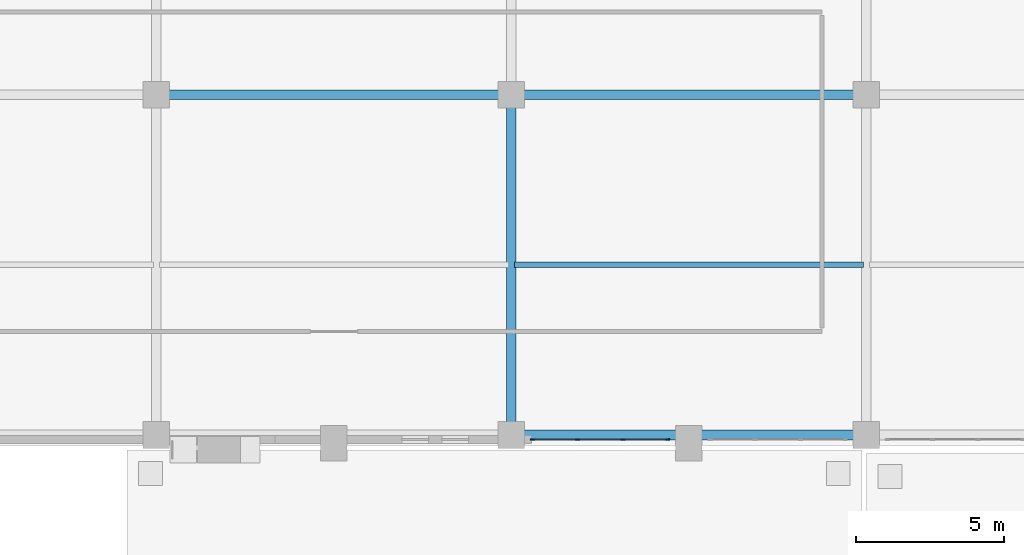
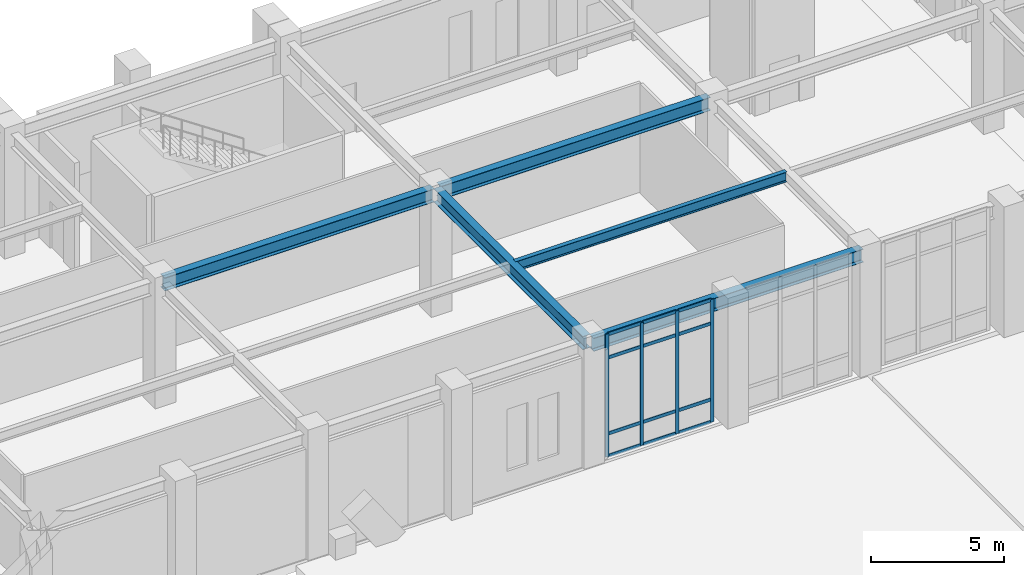
# One storey, part 54 of 143: 16 members, 5 beams, 1 element without a shape of its own.
"""IFC4 building model written with IfcOpenShell, lengths in metres."""

from ifc_helpers import new_model, si_unit, derived_unit, direction, frame, origin, origin_2d, place, context, subcontext, project, spatial, rectangle, i_section, extrude, material, layer, layer_set, material_profile, profile_set, type_object, element, aggregate, save


model = new_model("IFC4")

# Units and contexts
model_context = context("Model", 3, precision=1e-05, world=origin(), true_north=direction((0.0, 1.0)))
body_context = subcontext(model_context, "Body", "Model", "MODEL_VIEW")
ifc_project = project(units=[si_unit("LENGTHUNIT", "METRE"), si_unit("AREAUNIT", "SQUARE_METRE"), si_unit("VOLUMEUNIT", "CUBIC_METRE"), si_unit("PLANEANGLEUNIT", "RADIAN"), si_unit("MASSUNIT", "GRAM", prefix="KILO"), derived_unit("THERMALTRANSMITTANCEUNIT", [(si_unit("MASSUNIT", "GRAM", prefix="KILO"), 1), (si_unit("TIMEUNIT", "SECOND"), -3), (si_unit("THERMODYNAMICTEMPERATUREUNIT", "KELVIN"), -1)])], contexts=[model_context])

# Site, building, storey
site_placement = place(None, origin())
site = spatial("IfcSite", under=ifc_project, at=site_placement, CompositionType="ELEMENT")
building_placement = place(site_placement, origin())
building = spatial("IfcBuilding", under=site, at=building_placement, Name="Valcora Ridge Arena", CompositionType="ELEMENT")
storey_placement = place(building_placement, origin())
storey = spatial("IfcBuildingStorey", under=building, at=storey_placement, Name="L00", CompositionType="ELEMENT", Elevation=0.0)

# Beams
ifc_material_1 = material(Name="Steel ASTM A572 Grade 50", Category="steel")
ifc_material_profile_1 = material_profile(ifc_material_1, i_section(OverallWidth=0.324951171875, OverallDepth=0.612060546875, WebThickness=0.0126953125, FlangeThickness=0.01904296875, FilletRadius=0.01806640625, at=origin_2d()), Name="W24X104")
ifc_profile_set_1 = profile_set([ifc_material_profile_1], Name="Steel ASTM A572 Grade 50")
beam_type_1 = type_object("IfcBeamType", Name="TY-BEAM-G-W24X104-X", PredefinedType="BEAM", material=ifc_profile_set_1)
for number, where, z_axis, x_axis, name in (
    (1, (120.139892578125, 108.699951171875, 5.333984375), (1.0, 0.0, 0.0), (0.0, 1.0, 0.0), "G-W24X104-X BEM-G-W24X104-X-0012"),
    (2, (108.139892578125, 120.199951171875, 5.333984375), (1.0, 0.0, 0.0), (0.0, 1.0, 0.0), "G-W24X104-X BEM-G-W24X104-X-0025"),
    (3, (120.139892578125, 120.199951171875, 5.333984375), (1.0, 0.0, 0.0), (0.0, 1.0, 0.0), "G-W24X104-X BEM-G-W24X104-X-0026"),
):
    element("IfcBeam", number, at=place(storey_placement, frame(where, z_axis=z_axis, x_axis=x_axis)), inside=storey, type_object=beam_type_1, Name=name, PredefinedType="BEAM", context=body_context, shape_type="SweptSolid", body=[
        extrude(i_section(OverallWidth=0.324951171875, OverallDepth=0.612060546875, WebThickness=0.0126953125, FlangeThickness=0.01904296875, FilletRadius=0.01806640625, at=origin_2d()), origin(), (0.0, 0.0, 1.0), 11.72021484375),
    ])
ifc_material_profile_2 = material_profile(ifc_material_1, i_section(OverallWidth=0.324951171875, OverallDepth=0.612060546875, WebThickness=0.0126953125, FlangeThickness=0.01904296875, FilletRadius=0.01806640625, at=origin_2d()), Name="W24X104")
ifc_profile_set_2 = profile_set([ifc_material_profile_2], Name="Steel ASTM A572 Grade 50")
beam_type_2 = type_object("IfcBeamType", Name="TY-BEAM-G-W24X104-Y", PredefinedType="BEAM", material=ifc_profile_set_2)
beam_1_placement = place(storey_placement, frame((120.0, 108.840087890625, 5.333984375), z_axis=(0.0, 1.0, 0.0), x_axis=(-1.0, 0.0, 0.0)))
element("IfcBeam", 4, at=beam_1_placement, inside=storey, type_object=beam_type_2, Name="G-W24X104-Y BEM-G-W24X104-Y-0016", PredefinedType="BEAM", context=body_context, shape_type="SweptSolid", body=[
    extrude(i_section(OverallWidth=0.324951171875, OverallDepth=0.612060546875, WebThickness=0.0126953125, FlangeThickness=0.01904296875, FilletRadius=0.01806640625, at=origin_2d()), origin(), (0.0, 0.0, 1.0), 11.219970703125),
])
ifc_material_profile_3 = material_profile(ifc_material_1, i_section(OverallWidth=0.18994140625, OverallDepth=0.45703125, WebThickness=0.009033203125, FlangeThickness=0.014404296875, FilletRadius=0.014892578125, at=origin_2d()), Name="W18X50")
ifc_profile_set_3 = profile_set([ifc_material_profile_3], Name="Steel ASTM A572 Grade 50")
beam_type_3 = type_object("IfcBeamType", Name="TY-BEAM-J-W18X50", PredefinedType="JOIST", material=ifc_profile_set_3)
beam_2_placement = place(storey_placement, frame((120.10009765625, 114.449951171875, 5.41162109375), z_axis=(1.0, 0.0, 0.0), x_axis=(0.0, 1.0, 0.0)))
element("IfcBeam", 5, at=beam_2_placement, inside=storey, type_object=beam_type_3, Name="J-W18X50 BEM-J-W18X50-0012", PredefinedType="JOIST", context=body_context, shape_type="SweptSolid", body=[
    extrude(i_section(OverallWidth=0.18994140625, OverallDepth=0.45703125, WebThickness=0.009033203125, FlangeThickness=0.014404296875, FilletRadius=0.014892578125, at=origin_2d()), origin(), (0.0, 0.0, 1.0), 11.7998046875),
])

# Curtain wall, members
ifc_material_2 = material(Name="Anodised dark bronze architectural aluminium 6063-T6", Category="aluminium")
ifc_layer = layer(ifc_material_2, 0.14990234375, Name="Anodised dark bronze architectural aluminium 6063-T6")
ifc_layer_set = layer_set([ifc_layer], Name="Anodised dark bronze architectural aluminium 6063-T6")
curtain_wall_type = type_object("IfcCurtainWallType", Name="TY-CURTAINWALL-CW-V5-MED-046X56", PredefinedType="NOTDEFINED", material=ifc_layer_set)
curtain_wall_placement = place(storey_placement, origin())
curtain_wall = element("IfcCurtainWall", 6, at=curtain_wall_placement, inside=storey, type_object=curtain_wall_type, Name="CW-V5-MED-046X56 CW-0306", PredefinedType="NOTDEFINED")
ifc_material_profile_4 = material_profile(ifc_material_2, rectangle(XDim=0.050048828125, YDim=0.14990234375, at=origin_2d()), Name="ALU MULLION 50x150")
ifc_profile_set_4 = profile_set([ifc_material_profile_4], Name="Anodised dark bronze architectural aluminium 6063-T6")
member_type_1 = type_object("IfcMemberType", Name="TY-MEM-CWM-50x150", PredefinedType="MULLION", material=ifc_profile_set_4)
member_1_placement = place(storey_placement, frame((120.715087890625, 108.550048828125, 0.0), z_axis=(0.0, 0.0, 1.0), x_axis=(0.0, 1.0, 0.0)))
member_1 = element("IfcMember", 7, at=member_1_placement, type_object=member_type_1, Name="CW-0306/CWM-50x150/M00", PredefinedType="MULLION", context=body_context, shape_type="SweptSolid", body=[
    extrude(rectangle(XDim=0.050048828125, YDim=0.14990234375, at=origin_2d()), origin(), (0.0, 0.0, 1.0), 5.639892578125),
])
member_2_placement = place(storey_placement, frame((122.22998046875, 108.550048828125, 0.0), z_axis=(0.0, 0.0, 1.0), x_axis=(0.0, 1.0, 0.0)))
member_2 = element("IfcMember", 8, at=member_2_placement, type_object=member_type_1, Name="CW-0306/CWM-50x150/M01", PredefinedType="MULLION", context=body_context, shape_type="SweptSolid", body=[
    extrude(rectangle(XDim=0.050048828125, YDim=0.14990234375, at=origin_2d()), origin(), (0.0, 0.0, 1.0), 5.639892578125),
])
member_3_placement = place(storey_placement, frame((123.77001953125, 108.550048828125, 0.0), z_axis=(0.0, 0.0, 1.0), x_axis=(0.0, 1.0, 0.0)))
member_3 = element("IfcMember", 9, at=member_3_placement, type_object=member_type_1, Name="CW-0306/CWM-50x150/M02", PredefinedType="MULLION", context=body_context, shape_type="SweptSolid", body=[
    extrude(rectangle(XDim=0.050048828125, YDim=0.14990234375, at=origin_2d()), origin(), (0.0, 0.0, 1.0), 5.639892578125),
])
member_4_placement = place(storey_placement, frame((125.284912109375, 108.550048828125, 0.0), z_axis=(0.0, 0.0, 1.0), x_axis=(0.0, 1.0, 0.0)))
member_4 = element("IfcMember", 10, at=member_4_placement, type_object=member_type_1, Name="CW-0306/CWM-50x150/M03", PredefinedType="MULLION", context=body_context, shape_type="SweptSolid", body=[
    extrude(rectangle(XDim=0.050048828125, YDim=0.14990234375, at=origin_2d()), origin(), (0.0, 0.0, 1.0), 5.639892578125),
])
ifc_material_profile_5 = material_profile(ifc_material_2, rectangle(XDim=0.050048828125, YDim=0.14990234375, at=origin_2d()), Name="ALU TRANSOM 50x150")
ifc_profile_set_5 = profile_set([ifc_material_profile_5], Name="Anodised dark bronze architectural aluminium 6063-T6")
member_type_2 = type_object("IfcMemberType", Name="TY-MEM-CWT-50x150", PredefinedType="USERDEFINED", material=ifc_profile_set_5)
member_5_placement = place(storey_placement, frame((120.739990234375, 108.550048828125, 0.02490234375), z_axis=(1.0, 0.0, 0.0), x_axis=(0.0, 1.0, 0.0)))
member_5 = element("IfcMember", 11, at=member_5_placement, type_object=member_type_2, Name="CW-0306/CWT-50x150/T00-00", ObjectType="TRANSOM", PredefinedType="USERDEFINED", context=body_context, shape_type="SweptSolid", body=[
    extrude(rectangle(XDim=0.050048828125, YDim=0.14990234375, at=origin_2d()), origin(), (0.0, 0.0, 1.0), 1.465087890625),
])
member_6_placement = place(storey_placement, frame((120.739990234375, 108.550048828125, 1.050048828125), z_axis=(1.0, 0.0, 0.0), x_axis=(0.0, 1.0, 0.0)))
member_6 = element("IfcMember", 12, at=member_6_placement, type_object=member_type_2, Name="CW-0306/CWT-50x150/T00-01", ObjectType="TRANSOM", PredefinedType="USERDEFINED", context=body_context, shape_type="SweptSolid", body=[
    extrude(rectangle(XDim=0.050048828125, YDim=0.14990234375, at=origin_2d()), origin(), (0.0, 0.0, 1.0), 1.465087890625),
])
member_7_placement = place(storey_placement, frame((120.739990234375, 108.550048828125, 4.5400390625), z_axis=(1.0, 0.0, 0.0), x_axis=(0.0, 1.0, 0.0)))
member_7 = element("IfcMember", 13, at=member_7_placement, type_object=member_type_2, Name="CW-0306/CWT-50x150/T00-02", ObjectType="TRANSOM", PredefinedType="USERDEFINED", context=body_context, shape_type="SweptSolid", body=[
    extrude(rectangle(XDim=0.050048828125, YDim=0.14990234375, at=origin_2d()), origin(), (0.0, 0.0, 1.0), 1.465087890625),
])
member_8_placement = place(storey_placement, frame((120.739990234375, 108.550048828125, 5.614990234375), z_axis=(1.0, 0.0, 0.0), x_axis=(0.0, 1.0, 0.0)))
member_8 = element("IfcMember", 14, at=member_8_placement, type_object=member_type_2, Name="CW-0306/CWT-50x150/T00-03", ObjectType="TRANSOM", PredefinedType="USERDEFINED", context=body_context, shape_type="SweptSolid", body=[
    extrude(rectangle(XDim=0.050048828125, YDim=0.14990234375, at=origin_2d()), origin(), (0.0, 0.0, 1.0), 1.465087890625),
])
member_9_placement = place(storey_placement, frame((122.2548828125, 108.550048828125, 0.02490234375), z_axis=(1.0, 0.0, 0.0), x_axis=(0.0, 1.0, 0.0)))
member_9 = element("IfcMember", 15, at=member_9_placement, type_object=member_type_2, Name="CW-0306/CWT-50x150/T01-00", ObjectType="TRANSOM", PredefinedType="USERDEFINED", context=body_context, shape_type="SweptSolid", body=[
    extrude(rectangle(XDim=0.050048828125, YDim=0.14990234375, at=origin_2d()), origin(), (0.0, 0.0, 1.0), 1.490234375),
])
member_10_placement = place(storey_placement, frame((122.2548828125, 108.550048828125, 1.050048828125), z_axis=(1.0, 0.0, 0.0), x_axis=(0.0, 1.0, 0.0)))
member_10 = element("IfcMember", 16, at=member_10_placement, type_object=member_type_2, Name="CW-0306/CWT-50x150/T01-01", ObjectType="TRANSOM", PredefinedType="USERDEFINED", context=body_context, shape_type="SweptSolid", body=[
    extrude(rectangle(XDim=0.050048828125, YDim=0.14990234375, at=origin_2d()), origin(), (0.0, 0.0, 1.0), 1.490234375),
])
member_11_placement = place(storey_placement, frame((122.2548828125, 108.550048828125, 4.5400390625), z_axis=(1.0, 0.0, 0.0), x_axis=(0.0, 1.0, 0.0)))
member_11 = element("IfcMember", 17, at=member_11_placement, type_object=member_type_2, Name="CW-0306/CWT-50x150/T01-02", ObjectType="TRANSOM", PredefinedType="USERDEFINED", context=body_context, shape_type="SweptSolid", body=[
    extrude(rectangle(XDim=0.050048828125, YDim=0.14990234375, at=origin_2d()), origin(), (0.0, 0.0, 1.0), 1.490234375),
])
member_12_placement = place(storey_placement, frame((122.2548828125, 108.550048828125, 5.614990234375), z_axis=(1.0, 0.0, 0.0), x_axis=(0.0, 1.0, 0.0)))
member_12 = element("IfcMember", 18, at=member_12_placement, type_object=member_type_2, Name="CW-0306/CWT-50x150/T01-03", ObjectType="TRANSOM", PredefinedType="USERDEFINED", context=body_context, shape_type="SweptSolid", body=[
    extrude(rectangle(XDim=0.050048828125, YDim=0.14990234375, at=origin_2d()), origin(), (0.0, 0.0, 1.0), 1.490234375),
])
member_13_placement = place(storey_placement, frame((123.794921875, 108.550048828125, 0.02490234375), z_axis=(1.0, 0.0, 0.0), x_axis=(0.0, 1.0, 0.0)))
member_13 = element("IfcMember", 19, at=member_13_placement, type_object=member_type_2, Name="CW-0306/CWT-50x150/T02-00", ObjectType="TRANSOM", PredefinedType="USERDEFINED", context=body_context, shape_type="SweptSolid", body=[
    extrude(rectangle(XDim=0.050048828125, YDim=0.14990234375, at=origin_2d()), origin(), (0.0, 0.0, 1.0), 1.465087890625),
])
member_14_placement = place(storey_placement, frame((123.794921875, 108.550048828125, 1.050048828125), z_axis=(1.0, 0.0, 0.0), x_axis=(0.0, 1.0, 0.0)))
member_14 = element("IfcMember", 20, at=member_14_placement, type_object=member_type_2, Name="CW-0306/CWT-50x150/T02-01", ObjectType="TRANSOM", PredefinedType="USERDEFINED", context=body_context, shape_type="SweptSolid", body=[
    extrude(rectangle(XDim=0.050048828125, YDim=0.14990234375, at=origin_2d()), origin(), (0.0, 0.0, 1.0), 1.465087890625),
])
member_15_placement = place(storey_placement, frame((123.794921875, 108.550048828125, 4.5400390625), z_axis=(1.0, 0.0, 0.0), x_axis=(0.0, 1.0, 0.0)))
member_15 = element("IfcMember", 21, at=member_15_placement, type_object=member_type_2, Name="CW-0306/CWT-50x150/T02-02", ObjectType="TRANSOM", PredefinedType="USERDEFINED", context=body_context, shape_type="SweptSolid", body=[
    extrude(rectangle(XDim=0.050048828125, YDim=0.14990234375, at=origin_2d()), origin(), (0.0, 0.0, 1.0), 1.465087890625),
])
member_16_placement = place(storey_placement, frame((123.794921875, 108.550048828125, 5.614990234375), z_axis=(1.0, 0.0, 0.0), x_axis=(0.0, 1.0, 0.0)))
member_16 = element("IfcMember", 22, at=member_16_placement, type_object=member_type_2, Name="CW-0306/CWT-50x150/T02-03", ObjectType="TRANSOM", PredefinedType="USERDEFINED", context=body_context, shape_type="SweptSolid", body=[
    extrude(rectangle(XDim=0.050048828125, YDim=0.14990234375, at=origin_2d()), origin(), (0.0, 0.0, 1.0), 1.465087890625),
])
aggregate(curtain_wall, [member_1, member_2, member_3, member_4, member_5, member_6, member_7, member_8, member_9, member_10, member_11, member_12, member_13, member_14, member_15, member_16])

save(model, "model.ifc")
